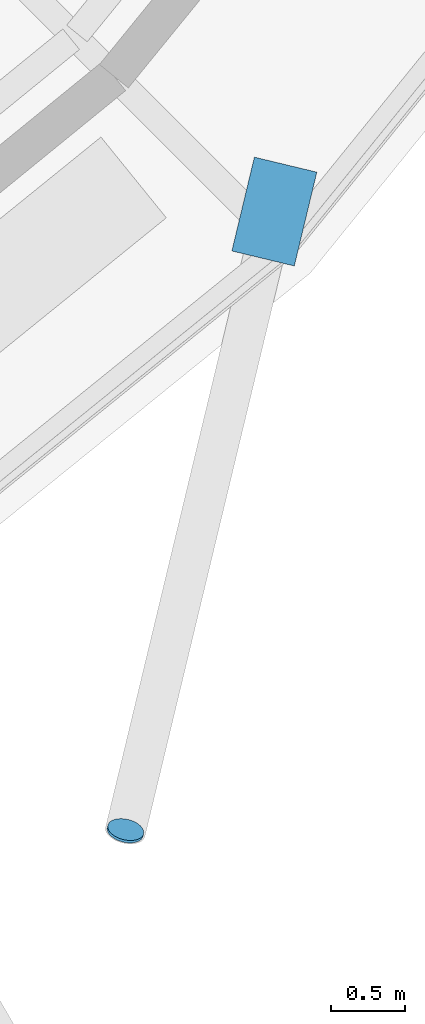
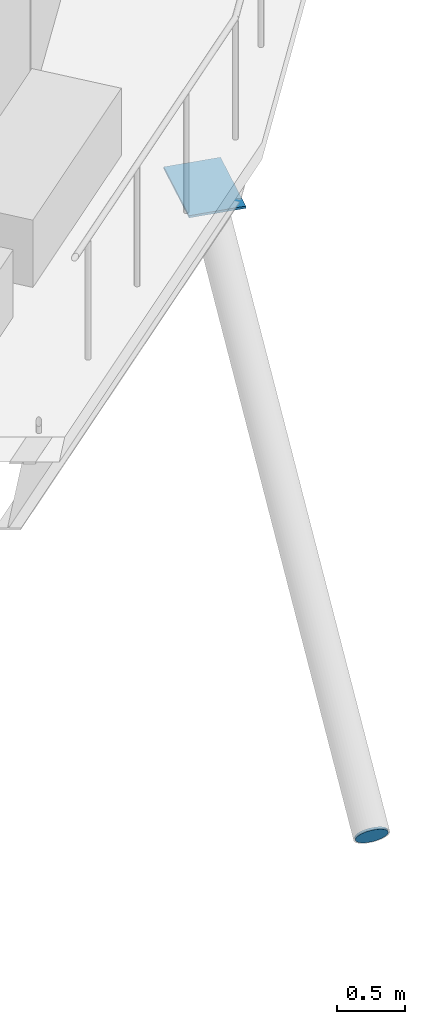
# One storey, part 29 of 36: 2 discrete accessories.
"""IFC4 building model written with IfcOpenShell, lengths in metres."""

from ifc_helpers import new_model, si_unit, direction, frame, origin, origin_2d, place, context, subcontext, project, spatial, polyline, rectangle, circle, outline, extrude, material, material_profile, profile_set, type_object, element, save


model = new_model("IFC4")

# Units and contexts
model_context = context("Model", 3, precision=1e-05, world=origin(), true_north=direction((0.0, 1.0)))
body_context = subcontext(model_context, "Body", "Model", "MODEL_VIEW")
ifc_project = project(units=[si_unit("LENGTHUNIT", "METRE"), si_unit("AREAUNIT", "SQUARE_METRE"), si_unit("VOLUMEUNIT", "CUBIC_METRE"), si_unit("PLANEANGLEUNIT", "RADIAN"), si_unit("MASSUNIT", "GRAM", prefix="KILO")], contexts=[model_context])

# Site, building, storey
site_placement = place(None, origin())
site = spatial("IfcSite", under=ifc_project, at=site_placement, CompositionType="ELEMENT")
building_placement = place(site_placement, origin())
building = spatial("IfcBuilding", under=site, at=building_placement, Name="Rimbun Link Towers", CompositionType="ELEMENT")
storey_placement = place(building_placement, frame((0.0, 0.0, 193.10009765625)))
storey = spatial("IfcBuildingStorey", under=building, at=storey_placement, Name="L47", CompositionType="ELEMENT", Elevation=193.10009765625)

# Discrete accessories
ifc_material_1 = material(Name="Steel S355J2H", Category="steel")
ifc_material_profile_1 = material_profile(ifc_material_1, circle(Radius=0.1240234375, at=origin_2d()), Name="PL D248")
ifc_profile_set_1 = profile_set([ifc_material_profile_1], Name="Steel S355J2H")
discrete_accessory_type_1 = type_object("IfcDiscreteAccessoryType", Name="Link foot sealing plate D248X20", PredefinedType="BRACKET", material=ifc_profile_set_1)
discrete_accessory_1_placement = place(storey_placement, frame((44.068115234375, -17.31591796875, -3.449951171875), z_axis=(-0.195063939638, -0.804638751005, -0.560808826458), x_axis=(0.971850105689, -0.235600025622, 0.0)))
element("IfcDiscreteAccessory", 1, at=discrete_accessory_1_placement, inside=storey, type_object=discrete_accessory_type_1, Name="Link foot sealing plate T2 L47 18", PredefinedType="BRACKET", context=body_context, shape_type="SweptSolid", body=[
    extrude(circle(Radius=0.1240234375, at=origin_2d()), origin(), (0.0, 0.0, 1.0), 0.02001953125),
])
ifc_material_2 = material(Name="Steel S355J2H", Category="steel")
ifc_material_profile_2 = material_profile(ifc_material_2, rectangle(XDim=0.43310546875, YDim=0.43310546875, at=origin_2d()), Name="PL 433x433")
ifc_profile_set_2 = profile_set([ifc_material_profile_2], Name="Steel S355J2H")
discrete_accessory_type_2 = type_object("IfcDiscreteAccessoryType", Name="Link head end plate 433X20", PredefinedType="BRACKET", material=ifc_profile_set_2)
discrete_accessory_2_placement = place(storey_placement, frame((0.0, 0.0, -0.576416015625)))
element("IfcDiscreteAccessory", 2, at=discrete_accessory_2_placement, inside=storey, type_object=discrete_accessory_type_2, Name="Link head end plate T2 L47 18", PredefinedType="BRACKET", context=body_context, shape_type="SweptSolid", body=[
    extrude(outline(polyline([(44.93505859375, -12.78369140625), (44.783203125, -13.416015625), (45.2041015625, -13.51708984375), (45.35595703125, -12.885009765625), (44.93505859375, -12.78369140625)])), origin(), (0.0, 0.0, 1.0), 0.02001953125),
])

save(model, "model.ifc")
